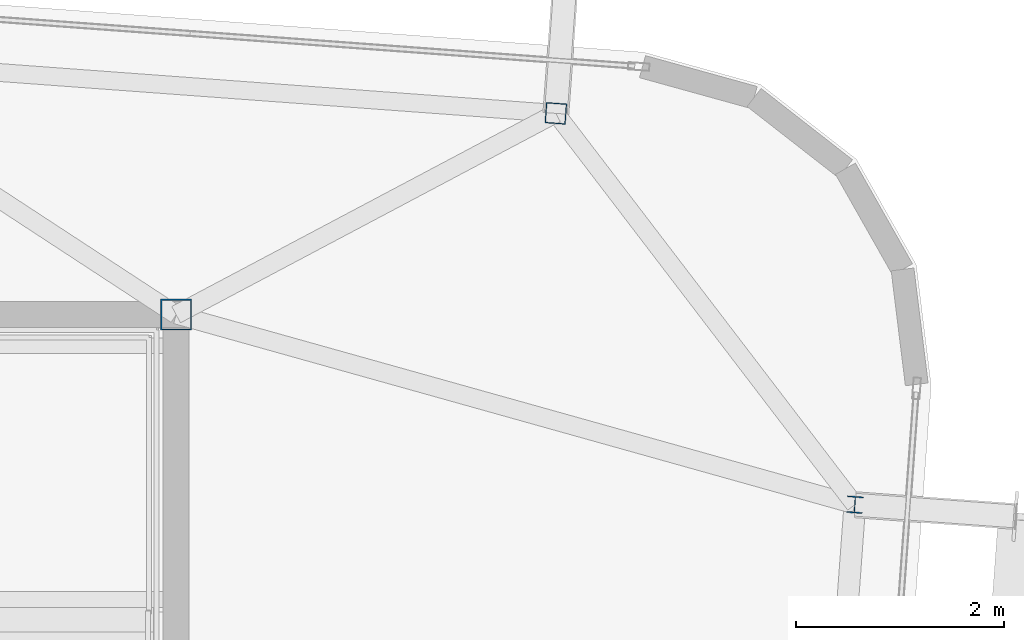
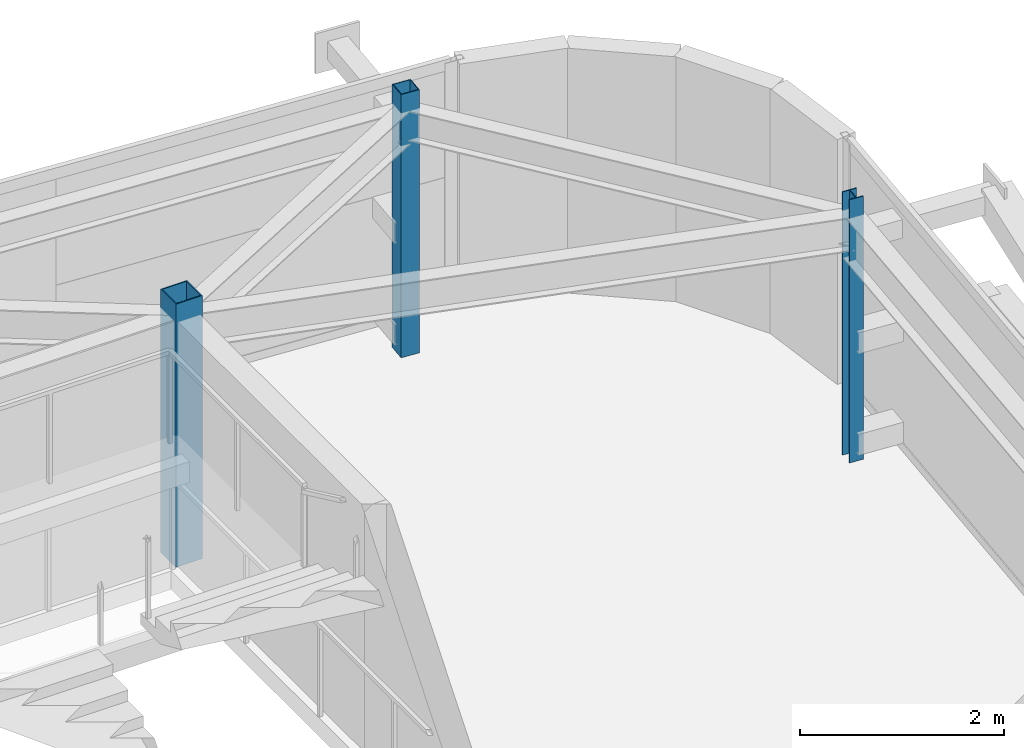
# One storey, part 6 of 34: 3 columns.
"""IFC4 building model written with IfcOpenShell, lengths in metres."""

from ifc_helpers import new_model, si_unit, direction, frame, origin, origin_2d, place, context, subcontext, project, spatial, hollow_rectangle, i_section, extrude, source, transform, mapped, material, material_profile, profile_set, type_object, element, save


model = new_model("IFC4")

# Units and contexts
model_context = context("Model", 3, precision=1e-05, world=origin(), true_north=direction((0.0, 1.0)))
body_context = subcontext(model_context, "Body", "Model", "MODEL_VIEW")
ifc_project = project(units=[si_unit("LENGTHUNIT", "METRE"), si_unit("AREAUNIT", "SQUARE_METRE"), si_unit("VOLUMEUNIT", "CUBIC_METRE"), si_unit("PLANEANGLEUNIT", "RADIAN"), si_unit("MASSUNIT", "GRAM", prefix="KILO")], contexts=[model_context])

# Site, building, storey
site_placement = place(None, origin())
site = spatial("IfcSite", under=ifc_project, at=site_placement, CompositionType="ELEMENT")
building_placement = place(site_placement, origin())
building = spatial("IfcBuilding", under=site, at=building_placement, Name="Taldren Reach Tower", CompositionType="ELEMENT")
storey_placement = place(building_placement, frame((0.0, 0.0, 239.75)))
storey = spatial("IfcBuildingStorey", under=building, at=storey_placement, Name="L73", CompositionType="ELEMENT", Elevation=239.75)

# Columns
ifc_material_1 = material(Name="Steel Gr 450 (C450L0)", Category="steel")
ifc_material_profile_1 = material_profile(ifc_material_1, hollow_rectangle(XDim=0.300048828125, YDim=0.300048828125, WallThickness=0.012451171875, at=origin_2d()), Name="300x300x12.5SHS")
ifc_profile_set_1 = profile_set([ifc_material_profile_1], Name="Steel Gr 450 (C450L0)")
column_type_1 = type_object("IfcColumnType", Name="COL-SHS300", PredefinedType="COLUMN", material=ifc_profile_set_1)
shared_shape_1 = source(origin(), body_context, "Body", "SweptSolid", [
    extrude(hollow_rectangle(XDim=0.300048828125, YDim=0.300048828125, WallThickness=0.012451171875, at=origin_2d()), origin(), (0.0, 0.0, 1.0), 3.14990234375),
])
column_1_placement = place(storey_placement, frame((51.0, 32.0, 0.0), z_axis=(0.0, 0.0, 1.0), x_axis=(1.0, 0.0, 0.0)))
element("IfcColumn", 1, at=column_1_placement, inside=storey, type_object=column_type_1, Name="Mega column MC-C8 L73", PredefinedType="COLUMN", context=body_context, shape_type="MappedRepresentation", body=[
    mapped(shared_shape_1, transform((0.0, 0.0, 0.0), scale=1.0)),
])
ifc_material_2 = material(Name="Steel Gr 350 (C350L0)", Category="steel")
ifc_material_profile_2 = material_profile(ifc_material_2, hollow_rectangle(XDim=0.199951171875, YDim=0.199951171875, WallThickness=0.009033203125, at=origin_2d()), Name="200x200x9.0SHS")
ifc_profile_set_2 = profile_set([ifc_material_profile_2], Name="Steel Gr 350 (C350L0)")
column_type_2 = type_object("IfcColumnType", Name="COL-SHS200", PredefinedType="COLUMN", material=ifc_profile_set_2)
shared_shape_2 = source(origin(), body_context, "Body", "SweptSolid", [
    extrude(hollow_rectangle(XDim=0.199951171875, YDim=0.199951171875, WallThickness=0.009033203125, at=origin_2d()), origin(), (0.0, 0.0, 1.0), 3.14990234375),
])
column_2_placement = place(storey_placement, frame((54.659423828125, 33.939697265625, 0.0), z_axis=(0.0, 0.0, 1.0), x_axis=(0.997314477224, -0.073238197128, 0.0)))
element("IfcColumn", 2, at=column_2_placement, inside=storey, type_object=column_type_2, Name="Block B5 perimeter column N6 L73", PredefinedType="COLUMN", context=body_context, shape_type="MappedRepresentation", body=[
    mapped(shared_shape_2, transform((0.0, 0.0, 0.0), scale=1.0)),
])
ifc_material_3 = material(Name="Steel Gr 350 (350PLUS)", Category="steel")
ifc_material_profile_3 = material_profile(ifc_material_3, i_section(OverallWidth=0.154052734375, OverallDepth=0.162109375, WebThickness=0.008056640625, FlangeThickness=0.011474609375, at=origin_2d()), Name="150UC37.2")
ifc_profile_set_3 = profile_set([ifc_material_profile_3], Name="Steel Gr 350 (350PLUS)")
column_type_3 = type_object("IfcColumnType", Name="COL-UC150", PredefinedType="COLUMN", material=ifc_profile_set_3)
shared_shape_3 = source(origin(), body_context, "Body", "SweptSolid", [
    extrude(i_section(OverallWidth=0.154052734375, OverallDepth=0.162109375, WebThickness=0.008056640625, FlangeThickness=0.011474609375, at=origin_2d()), origin(), (0.0, 0.0, 1.0), 3.14990234375),
])
column_3_placement = place(storey_placement, frame((57.540771484375, 30.168701171875, 0.0), z_axis=(0.0, 0.0, 1.0), x_axis=(0.997314477224, -0.073238197128, 0.0)))
element("IfcColumn", 3, at=column_3_placement, inside=storey, type_object=column_type_3, Name="Block B5 perimeter column E3 L73", PredefinedType="COLUMN", context=body_context, shape_type="MappedRepresentation", body=[
    mapped(shared_shape_3, transform((0.0, 0.0, 0.0), scale=1.0)),
])

save(model, "model.ifc")
